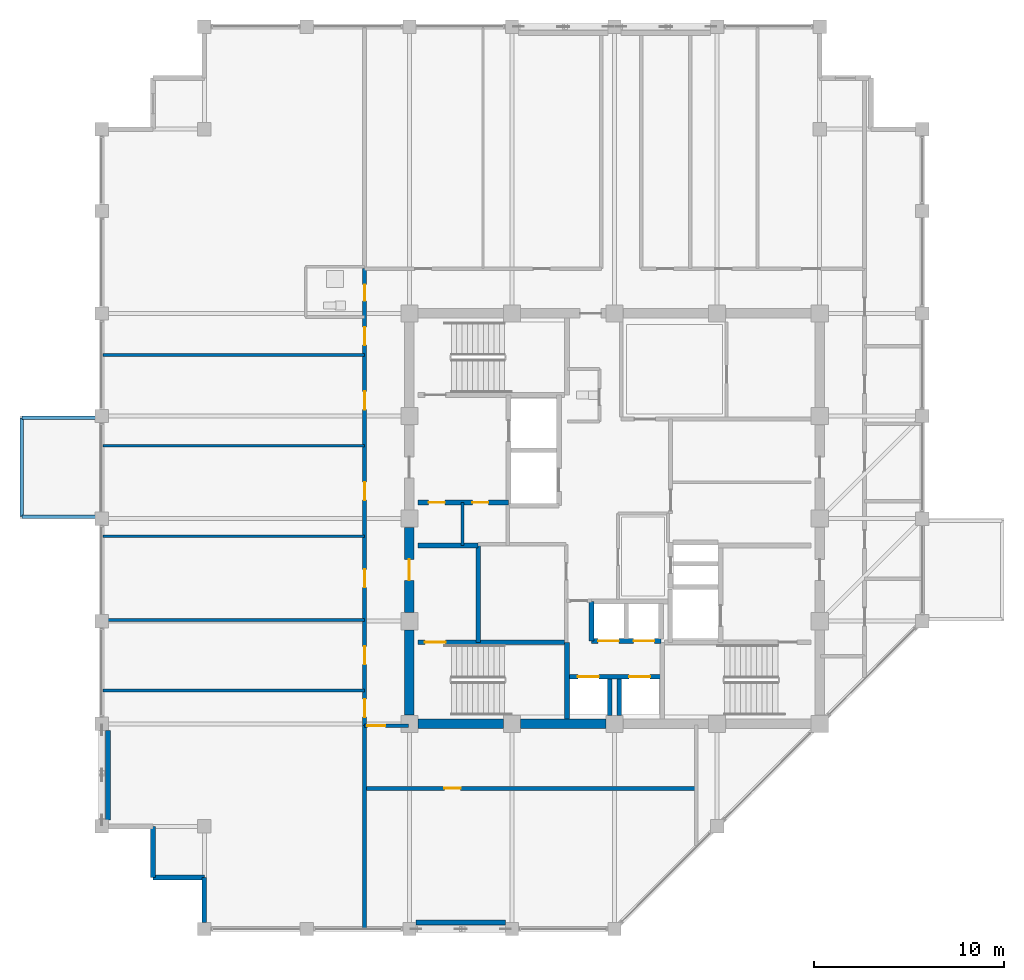
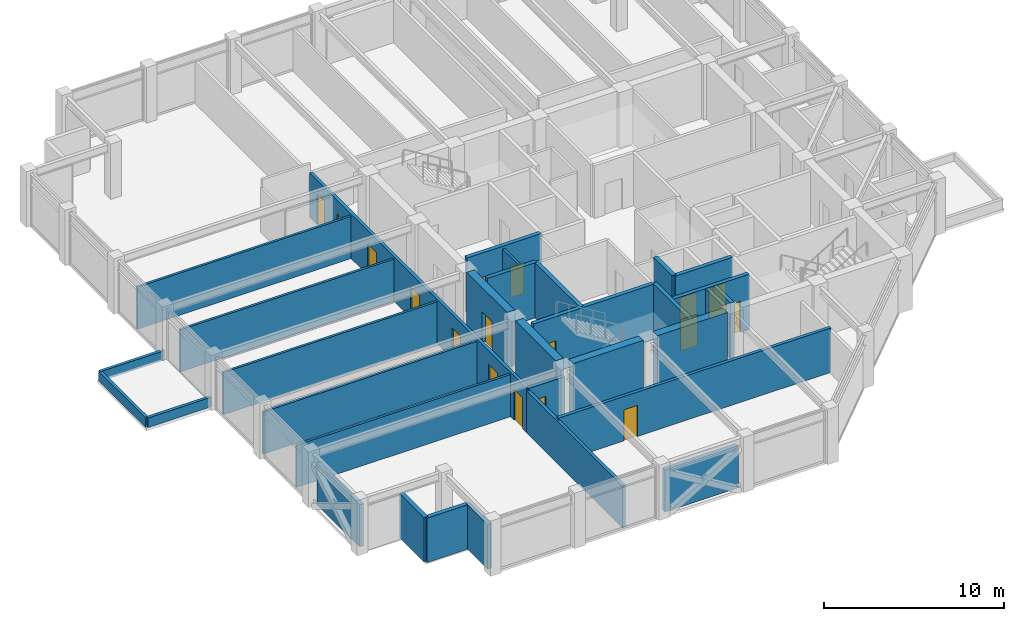
# One storey, part 24 of 29: 32 walls, 17 doors, 17 openings.
"""IFC4 building model written with IfcOpenShell, lengths in metres."""

from ifc_helpers import new_model, si_unit, direction, frame, frame_2d, origin, place, context, subcontext, project, spatial, rectangle, extrude, material, layer, layer_set, type_object, element, fill, save


model = new_model("IFC4")

# Units and contexts
model_context = context("Model", 3, precision=1e-05, world=origin(), true_north=direction((0.0, 1.0)))
body_context = subcontext(model_context, "Body", "Model", "MODEL_VIEW")
ifc_project = project(units=[si_unit("LENGTHUNIT", "METRE"), si_unit("AREAUNIT", "SQUARE_METRE"), si_unit("VOLUMEUNIT", "CUBIC_METRE"), si_unit("PLANEANGLEUNIT", "RADIAN"), si_unit("MASSUNIT", "GRAM", prefix="KILO")], contexts=[model_context])

# Site, building, storey
site_placement = place(None, origin())
site = spatial("IfcSite", under=ifc_project, at=site_placement, CompositionType="ELEMENT")
building_placement = place(site_placement, origin())
building = spatial("IfcBuilding", under=site, at=building_placement, Name="Surkhivell Harbour Commons", CompositionType="ELEMENT")
storey_placement = place(building_placement, frame((0.0, 0.0, 326.25)))
storey = spatial("IfcBuildingStorey", under=building, at=storey_placement, Name="L85", CompositionType="ELEMENT", Elevation=326.25)

# Walls
ifc_material_1 = material(Name="Concrete C50/60", Category="concrete")
ifc_layer_1 = layer(ifc_material_1, 0.5)
ifc_layer_set_1 = layer_set([ifc_layer_1], Name="Concrete C50/60")
wall_type_1 = type_object("IfcWallType", Name="WAL-CORE-500", PredefinedType="SHEAR", material=ifc_layer_set_1)
for number, where, z_axis, x_axis, name in (
    (1, (-10.340087890625, -10.800048828125, 0.0), (0.0, 0.0, 1.0), (1.0, 0.0, 0.0), "L85 Core Shear Wall South 1"),
    (2, (-10.800048828125, -10.340087890625, 0.0), (0.0, 0.0, 1.0), (0.0, 1.0, 0.0), "L85 Core Shear Wall West 1"),
    (3, (-4.93994140625, -10.800048828125, 0.0), (0.0, 0.0, 1.0), (1.0, 0.0, 0.0), "L85 Core Shear Wall South 2"),
):
    element("IfcWall", number, at=place(storey_placement, frame(where, z_axis=z_axis, x_axis=x_axis)), inside=storey, type_object=wall_type_1, Name=name, PredefinedType="SHEAR", context=body_context, shape_type="SweptSolid", body=[
        extrude(rectangle(XDim=4.47998046875, YDim=0.5, at=frame_2d((2.239990234375, 0.0))), origin(), (0.0, 0.0, 1.0), 3.75),
    ])

# Wall, opening, door
wall_1_placement = place(storey_placement, frame((-10.800048828125, -4.93994140625, 0.0), z_axis=(0.0, 0.0, 1.0), x_axis=(0.0, 1.0, 0.0)))
wall_1 = element("IfcWall", 4, at=wall_1_placement, inside=storey, type_object=wall_type_1, Name="L85 Core Shear Wall West 2", PredefinedType="SHEAR", context=body_context, shape_type="SweptSolid", body=[
    extrude(rectangle(XDim=4.47998046875, YDim=0.5, at=frame_2d((2.239990234375, 0.0))), origin(), (0.0, 0.0, 1.0), 3.75),
])
opening_1_placement = place(wall_1_placement, frame((1.68994140625, 0.0, 0.0)))
opening_1 = element("IfcOpeningElement", 5, at=opening_1_placement, cuts=wall_1, Name="Opening ID-2", PredefinedType="OPENING", context=body_context, shape_type="SweptSolid", body=[
    extrude(rectangle(XDim=1.10009765625, YDim=2.10009765625, at=frame_2d((0.550048828125, 1.050048828125))), frame((0.0, 0.260009765625, 0.0), z_axis=(0.0, -1.0, 0.0), x_axis=(1.0, 0.0, 0.0)), (0.0, 0.0, 1.0), 0.52001953125),
])
ifc_material_2 = material(Name="Hardwood-veneered fire-rated door leaf", Category="wood")
door_type_1 = type_object("IfcDoorType", Name="DOR-FD60-1100", OperationType="NOTDEFINED", PredefinedType="DOOR", material=ifc_material_2)
door_1_placement = place(opening_1_placement, origin())
door_1 = element("IfcDoor", 6, at=door_1_placement, inside=storey, type_object=door_type_1, Name="L85 Stair 3 Lobby Corridor Door", OperationType="SINGLE_SWING_LEFT", OverallHeight=2.10009765625, OverallWidth=1.10009765625, PredefinedType="DOOR", context=body_context, shape_type="SweptSolid", body=[
    extrude(rectangle(XDim=1.10009765625, YDim=2.10009765625, at=frame_2d((0.550048828125, 1.050048828125))), frame((0.0, 0.02490234375, 0.0), z_axis=(0.0, -1.0, 0.0), x_axis=(1.0, 0.0, 0.0)), (0.0, 0.0, 1.0), 0.050048828125),
])
fill(opening_1, door_1)

# Walls
ifc_material_3 = material(Name="Pale-metal insulated precast concrete C45/55", Category="concrete")
ifc_layer_2 = layer(ifc_material_3, 0.260009765625)
ifc_layer_set_2 = layer_set([ifc_layer_2], Name="Pale-metal insulated precast concrete C45/55")
wall_type_2 = type_object("IfcWallType", Name="WAL-EXT-MTL260", PredefinedType="STANDARD", material=ifc_layer_set_2)
wall_2_placement = place(storey_placement, frame((-10.451904296875, -21.264892578125, 0.0), z_axis=(0.0, 0.0, 1.0), x_axis=(1.0, 0.0, 0.0)))
element("IfcWall", 7, at=wall_2_placement, inside=storey, type_object=wall_type_2, Name="L85 Braced-Bay Insulated Spandrel Backing S", PredefinedType="STANDARD", context=body_context, shape_type="SweptSolid", body=[
    extrude(rectangle(XDim=4.703857421875, YDim=0.260009765625, at=frame_2d((2.35205078125, 0.0))), origin(), (0.0, 0.0, 1.0), 2.85693359375),
])
wall_3_placement = place(storey_placement, frame((-26.6650390625, -11.14794921875, 0.0), z_axis=(0.0, 0.0, 1.0), x_axis=(0.0, -1.0, 0.0)))
element("IfcWall", 8, at=wall_3_placement, inside=storey, type_object=wall_type_2, Name="L85 Braced-Bay Insulated Spandrel Backing W", PredefinedType="STANDARD", context=body_context, shape_type="SweptSolid", body=[
    extrude(rectangle(XDim=4.7041015625, YDim=0.260009765625, at=frame_2d((2.35205078125, 0.0))), origin(), (0.0, 0.0, 1.0), 2.85693359375),
])
for number, where, z_axis, x_axis, name in (
    (9, (-24.300048828125, -16.199951171875, 0.0), (0.0, 0.0, 1.0), (0.0, -1.0, 0.0), "L85 Serrated Corner Facade Wall 14"),
    (10, (-24.300048828125, -18.89990234375, 0.0), (0.0, 0.0, 1.0), (1.0, 0.0, 0.0), "L85 Serrated Corner Facade Wall 15"),
):
    element("IfcWall", number, at=place(storey_placement, frame(where, z_axis=z_axis, x_axis=x_axis)), inside=storey, type_object=wall_type_2, Name=name, PredefinedType="STANDARD", context=body_context, shape_type="SweptSolid", body=[
        extrude(rectangle(XDim=2.699951171875, YDim=0.260009765625, at=frame_2d((1.35009765625, 0.0))), origin(), (0.0, 0.0, 1.0), 3.012939453125),
    ])
wall_4_placement = place(storey_placement, frame((-21.60009765625, -18.89990234375, 0.0), z_axis=(0.0, 0.0, 1.0), x_axis=(0.0, -1.0, 0.0)))
element("IfcWall", 11, at=wall_4_placement, inside=storey, type_object=wall_type_2, Name="L85 Serrated Corner Facade Wall 16", PredefinedType="STANDARD", context=body_context, shape_type="SweptSolid", body=[
    extrude(rectangle(XDim=2.35205078125, YDim=0.260009765625, at=frame_2d((1.176025390625, 0.0))), origin(), (0.0, 0.0, 1.0), 3.012939453125),
])
ifc_material_4 = material(Name="Twin-stud acoustic fireboard partition", Category="other")
ifc_layer_3 = layer(ifc_material_4, 0.14990234375)
ifc_layer_set_3 = layer_set([ifc_layer_3], Name="Twin-stud acoustic fireboard partition")
wall_type_3 = type_object("IfcWallType", Name="WAL-INT-150", PredefinedType="PARTITIONING", material=ifc_layer_set_3)
wall_5_placement = place(storey_placement, frame((-8.0, -1.419921875, 0.0), z_axis=(0.0, 0.0, 1.0), x_axis=(0.0, 1.0, 0.0)))
element("IfcWall", 12, at=wall_5_placement, inside=storey, type_object=wall_type_3, Name="L85 West Core Cut D1", PredefinedType="PARTITIONING", context=body_context, shape_type="SweptSolid", body=[
    extrude(rectangle(XDim=2.27001953125, YDim=0.14990234375, at=frame_2d((1.135009765625, 0.0))), origin(), (0.0, 0.0, 1.0), 3.570068359375),
])
for number, where, z_axis, x_axis, name in (
    (13, (-26.93994140625, -5.340087890625, 0.0), (0.0, 0.0, 1.0), (1.0, 0.0, 0.0), "L85 West Partition BDP1"),
    (14, (-26.93994140625, -0.929931640625, 0.0), (0.0, 0.0, 1.0), (1.0, 0.0, 0.0), "L85 West Partition BDP2"),
    (15, (-26.93994140625, 3.840087890625, 0.0), (0.0, 0.0, 1.0), (1.0, 0.0, 0.0), "L85 West Partition BDP3"),
    (16, (-26.93994140625, -9.050048828125, 0.0), (0.0, 0.0, 1.0), (1.0, 0.0, 0.0), "L85 West Partition PBOT"),
    (17, (-26.93994140625, 8.610107421875, 0.0), (0.0, 0.0, 1.0), (1.0, 0.0, 0.0), "L85 West Partition PTOP"),
):
    element("IfcWall", number, at=place(storey_placement, frame(where, z_axis=z_axis, x_axis=x_axis)), inside=storey, type_object=wall_type_3, Name=name, PredefinedType="PARTITIONING", context=body_context, shape_type="SweptSolid", body=[
        extrude(rectangle(XDim=13.780029296875, YDim=0.14990234375, at=frame_2d((6.89013671875, 0.0))), origin(), (0.0, 0.0, 1.0), 2.85693359375),
    ])

# Wall, opening, door
ifc_material_5 = material(Name="Autoclaved aerated concrete blockwork and fire plaster", Category="masonry")
ifc_layer_4 = layer(ifc_material_5, 0.199951171875)
ifc_layer_set_4 = layer_set([ifc_layer_4], Name="Autoclaved aerated concrete blockwork and fire plaster")
wall_type_4 = type_object("IfcWallType", Name="WAL-INT-200", PredefinedType="PARTITIONING", material=ifc_layer_set_4)
wall_6_placement = place(storey_placement, frame((-13.159912109375, -14.199951171875, 0.0), z_axis=(0.0, 0.0, 1.0), x_axis=(1.0, 0.0, 0.0)))
wall_6 = element("IfcWall", 18, at=wall_6_placement, inside=storey, type_object=wall_type_4, Name="L85 South Wing Horizontal Partition", PredefinedType="PARTITIONING", context=body_context, shape_type="SweptSolid", body=[
    extrude(rectangle(XDim=17.4599609375, YDim=0.199951171875, at=frame_2d((8.72998046875, 0.0))), origin(), (0.0, 0.0, 1.0), 3.012939453125),
])
opening_2_placement = place(wall_6_placement, frame((4.199951171875, 0.0, 0.0)))
opening_2 = element("IfcOpeningElement", 19, at=opening_2_placement, cuts=wall_6, Name="Opening ID-6", PredefinedType="OPENING", context=body_context, shape_type="SweptSolid", body=[
    extrude(rectangle(XDim=0.85009765625, YDim=2.10009765625, at=frame_2d((0.425048828125, 1.050048828125))), frame((0.0, 0.10986328125, 0.0), z_axis=(0.0, -1.0, 0.0), x_axis=(1.0, 0.0, 0.0)), (0.0, 0.0, 1.0), 0.219970703125),
])
door_type_2 = type_object("IfcDoorType", Name="DOR-FD30-850", OperationType="NOTDEFINED", PredefinedType="DOOR", material=ifc_material_2)
door_2_placement = place(opening_2_placement, origin())
door_2 = element("IfcDoor", 20, at=door_2_placement, inside=storey, type_object=door_type_2, Name="L85 South Music Door", OperationType="SINGLE_SWING_LEFT", OverallHeight=2.10009765625, OverallWidth=0.85009765625, PredefinedType="DOOR", context=body_context, shape_type="SweptSolid", body=[
    extrude(rectangle(XDim=0.85009765625, YDim=2.10009765625, at=frame_2d((0.425048828125, 1.050048828125))), frame((0.0, 0.02490234375, 0.0), z_axis=(0.0, -1.0, 0.0), x_axis=(1.0, 0.0, 0.0)), (0.0, 0.0, 1.0), 0.050048828125),
])
fill(opening_2, door_2)

# Wall
wall_7_placement = place(storey_placement, frame((-13.159912109375, -21.5400390625, 0.0), z_axis=(0.0, 0.0, 1.0), x_axis=(0.0, 1.0, 0.0)))
element("IfcWall", 21, at=wall_7_placement, inside=storey, type_object=wall_type_4, Name="L85 South Hall West Divider", PredefinedType="PARTITIONING", context=body_context, shape_type="SweptSolid", body=[
    extrude(rectangle(XDim=10.64013671875, YDim=0.199951171875, at=frame_2d((5.320068359375, 0.0))), origin(), (0.0, 0.0, 1.0), 2.85693359375),
])

# Wall, openings, doors
wall_8_placement = place(storey_placement, frame((-13.159912109375, -10.89990234375, 0.0), z_axis=(0.0, 0.0, 1.0), x_axis=(0.0, 1.0, 0.0)))
wall_8 = element("IfcWall", 22, at=wall_8_placement, inside=storey, type_object=wall_type_4, Name="L85 West Corridor Wall", PredefinedType="PARTITIONING", context=body_context, shape_type="SweptSolid", body=[
    extrude(rectangle(XDim=24.059814453125, YDim=0.199951171875, at=frame_2d((12.02978515625, 0.0))), origin(), (0.0, 0.0, 1.0), 3.012939453125),
])
opening_3_placement = place(wall_8_placement, frame((0.445068359375, 0.0, 0.0)))
opening_3 = element("IfcOpeningElement", 23, at=opening_3_placement, cuts=wall_8, Name="Opening ID-4", PredefinedType="OPENING", context=body_context, shape_type="SweptSolid", body=[
    extrude(rectangle(XDim=0.949951171875, YDim=2.10009765625, at=frame_2d((0.47509765625, 1.050048828125))), frame((0.0, 0.10986328125, 0.0), z_axis=(0.0, -1.0, 0.0), x_axis=(1.0, 0.0, 0.0)), (0.0, 0.0, 1.0), 0.219970703125),
])
opening_4_placement = place(wall_8_placement, frame((22.364990234375, 0.0, 0.0)))
opening_4 = element("IfcOpeningElement", 24, at=opening_4_placement, cuts=wall_8, Name="Opening ID-6", PredefinedType="OPENING", context=body_context, shape_type="SweptSolid", body=[
    extrude(rectangle(XDim=0.85009765625, YDim=2.10009765625, at=frame_2d((0.425048828125, 1.050048828125))), frame((0.0, 0.10986328125, 0.0), z_axis=(0.0, -1.0, 0.0), x_axis=(1.0, 0.0, 0.0)), (0.0, 0.0, 1.0), 0.219970703125),
])
opening_5_placement = place(wall_8_placement, frame((20.030029296875, 0.0, 0.0)))
opening_5 = element("IfcOpeningElement", 25, at=opening_5_placement, cuts=wall_8, Name="Opening ID-4", PredefinedType="OPENING", context=body_context, shape_type="SweptSolid", body=[
    extrude(rectangle(XDim=0.949951171875, YDim=2.10009765625, at=frame_2d((0.47509765625, 1.050048828125))), frame((0.0, 0.10986328125, 0.0), z_axis=(0.0, -1.0, 0.0), x_axis=(1.0, 0.0, 0.0)), (0.0, 0.0, 1.0), 0.219970703125),
])
opening_6_placement = place(wall_8_placement, frame((3.22509765625, 0.0, 0.0)))
opening_6 = element("IfcOpeningElement", 26, at=opening_6_placement, cuts=wall_8, Name="Opening ID-4", PredefinedType="OPENING", context=body_context, shape_type="SweptSolid", body=[
    extrude(rectangle(XDim=0.949951171875, YDim=2.10009765625, at=frame_2d((0.47509765625, 1.050048828125))), frame((0.0, 0.10986328125, 0.0), z_axis=(0.0, -1.0, 0.0), x_axis=(1.0, 0.0, 0.0)), (0.0, 0.0, 1.0), 0.219970703125),
])
opening_7_placement = place(wall_8_placement, frame((7.284912109375, 0.0, 0.0)))
opening_7 = element("IfcOpeningElement", 27, at=opening_7_placement, cuts=wall_8, Name="Opening ID-4", PredefinedType="OPENING", context=body_context, shape_type="SweptSolid", body=[
    extrude(rectangle(XDim=0.949951171875, YDim=2.10009765625, at=frame_2d((0.47509765625, 1.050048828125))), frame((0.0, 0.10986328125, 0.0), z_axis=(0.0, -1.0, 0.0), x_axis=(1.0, 0.0, 0.0)), (0.0, 0.0, 1.0), 0.219970703125),
])
opening_8_placement = place(wall_8_placement, frame((11.875, 0.0, 0.0)))
opening_8 = element("IfcOpeningElement", 28, at=opening_8_placement, cuts=wall_8, Name="Opening ID-4", PredefinedType="OPENING", context=body_context, shape_type="SweptSolid", body=[
    extrude(rectangle(XDim=0.949951171875, YDim=2.10009765625, at=frame_2d((0.47509765625, 1.050048828125))), frame((0.0, 0.10986328125, 0.0), z_axis=(0.0, -1.0, 0.0), x_axis=(1.0, 0.0, 0.0)), (0.0, 0.0, 1.0), 0.219970703125),
])
opening_9_placement = place(wall_8_placement, frame((16.64501953125, 0.0, 0.0)))
opening_9 = element("IfcOpeningElement", 29, at=opening_9_placement, cuts=wall_8, Name="Opening ID-4", PredefinedType="OPENING", context=body_context, shape_type="SweptSolid", body=[
    extrude(rectangle(XDim=0.949951171875, YDim=2.10009765625, at=frame_2d((0.47509765625, 1.050048828125))), frame((0.0, 0.10986328125, 0.0), z_axis=(0.0, -1.0, 0.0), x_axis=(1.0, 0.0, 0.0)), (0.0, 0.0, 1.0), 0.219970703125),
])
door_3_placement = place(opening_4_placement, origin())
door_3 = element("IfcDoor", 30, at=door_3_placement, inside=storey, type_object=door_type_2, Name="L85 Communal Shower Bathroom West Door", OperationType="SINGLE_SWING_RIGHT", OverallHeight=2.10009765625, OverallWidth=0.85009765625, PredefinedType="DOOR", context=body_context, shape_type="SweptSolid", body=[
    extrude(rectangle(XDim=0.85009765625, YDim=2.10009765625, at=frame_2d((0.425048828125, 1.050048828125))), frame((0.0, 0.02490234375, 0.0), z_axis=(0.0, -1.0, 0.0), x_axis=(1.0, 0.0, 0.0)), (0.0, 0.0, 1.0), 0.050048828125),
])
fill(opening_4, door_3)
door_type_3 = type_object("IfcDoorType", Name="DOR-FD60-950", OperationType="NOTDEFINED", PredefinedType="DOOR", material=ifc_material_2)
door_4_placement = place(opening_3_placement, origin())
door_4 = element("IfcDoor", 31, at=door_4_placement, inside=storey, type_object=door_type_3, Name="L85 Shared Communal Kitchen West Door", OperationType="SINGLE_SWING_LEFT", OverallHeight=2.10009765625, OverallWidth=0.949951171875, PredefinedType="DOOR", context=body_context, shape_type="SweptSolid", body=[
    extrude(rectangle(XDim=0.949951171875, YDim=2.10009765625, at=frame_2d((0.47509765625, 1.050048828125))), frame((0.0, 0.02490234375, 0.0), z_axis=(0.0, -1.0, 0.0), x_axis=(1.0, 0.0, 0.0)), (0.0, 0.0, 1.0), 0.050048828125),
])
fill(opening_3, door_4)
door_5_placement = place(opening_5_placement, origin())
door_5 = element("IfcDoor", 32, at=door_5_placement, inside=storey, type_object=door_type_3, Name="L85 Academic Reading Commons West Door", OperationType="SINGLE_SWING_LEFT", OverallHeight=2.10009765625, OverallWidth=0.949951171875, PredefinedType="DOOR", context=body_context, shape_type="SweptSolid", body=[
    extrude(rectangle(XDim=0.949951171875, YDim=2.10009765625, at=frame_2d((0.47509765625, 1.050048828125))), frame((0.0, 0.02490234375, 0.0), z_axis=(0.0, -1.0, 0.0), x_axis=(1.0, 0.0, 0.0)), (0.0, 0.0, 1.0), 0.050048828125),
])
fill(opening_5, door_5)
door_6_placement = place(opening_6_placement, origin())
door_6 = element("IfcDoor", 33, at=door_6_placement, inside=storey, type_object=door_type_3, Name="L85 Hostel Cluster Bedroom 1 West Door", OperationType="SINGLE_SWING_RIGHT", OverallHeight=2.10009765625, OverallWidth=0.949951171875, PredefinedType="DOOR", context=body_context, shape_type="SweptSolid", body=[
    extrude(rectangle(XDim=0.949951171875, YDim=2.10009765625, at=frame_2d((0.47509765625, 1.050048828125))), frame((0.0, 0.02490234375, 0.0), z_axis=(0.0, -1.0, 0.0), x_axis=(1.0, 0.0, 0.0)), (0.0, 0.0, 1.0), 0.050048828125),
])
fill(opening_6, door_6)
door_7_placement = place(opening_7_placement, origin())
door_7 = element("IfcDoor", 34, at=door_7_placement, inside=storey, type_object=door_type_3, Name="L85 Co-Living Dormitory Bedroom 2 West Door", OperationType="SINGLE_SWING_LEFT", OverallHeight=2.10009765625, OverallWidth=0.949951171875, PredefinedType="DOOR", context=body_context, shape_type="SweptSolid", body=[
    extrude(rectangle(XDim=0.949951171875, YDim=2.10009765625, at=frame_2d((0.47509765625, 1.050048828125))), frame((0.0, 0.02490234375, 0.0), z_axis=(0.0, -1.0, 0.0), x_axis=(1.0, 0.0, 0.0)), (0.0, 0.0, 1.0), 0.050048828125),
])
fill(opening_7, door_7)
door_8_placement = place(opening_8_placement, origin())
door_8 = element("IfcDoor", 35, at=door_8_placement, inside=storey, type_object=door_type_3, Name="L85 Hostel Cluster Bedroom 3 West Door", OperationType="SINGLE_SWING_RIGHT", OverallHeight=2.10009765625, OverallWidth=0.949951171875, PredefinedType="DOOR", context=body_context, shape_type="SweptSolid", body=[
    extrude(rectangle(XDim=0.949951171875, YDim=2.10009765625, at=frame_2d((0.47509765625, 1.050048828125))), frame((0.0, 0.02490234375, 0.0), z_axis=(0.0, -1.0, 0.0), x_axis=(1.0, 0.0, 0.0)), (0.0, 0.0, 1.0), 0.050048828125),
])
fill(opening_8, door_8)
door_9_placement = place(opening_9_placement, origin())
door_9 = element("IfcDoor", 36, at=door_9_placement, inside=storey, type_object=door_type_3, Name="L85 Co-Living Dormitory Bedroom 4 West Door", OperationType="SINGLE_SWING_LEFT", OverallHeight=2.10009765625, OverallWidth=0.949951171875, PredefinedType="DOOR", context=body_context, shape_type="SweptSolid", body=[
    extrude(rectangle(XDim=0.949951171875, YDim=2.10009765625, at=frame_2d((0.47509765625, 1.050048828125))), frame((0.0, 0.02490234375, 0.0), z_axis=(0.0, -1.0, 0.0), x_axis=(1.0, 0.0, 0.0)), (0.0, 0.0, 1.0), 0.050048828125),
])
fill(opening_9, door_9)

# Wall, opening, door
wall_9_placement = place(storey_placement, frame((-13.159912109375, -10.89990234375, 0.0), z_axis=(0.0, 0.0, 1.0), x_axis=(1.0, 0.0, 0.0)))
wall_9 = element("IfcWall", 37, at=wall_9_placement, inside=storey, type_object=wall_type_4, Name="L85 West Corridor South Portal Wall", PredefinedType="PARTITIONING", context=body_context, shape_type="SweptSolid", body=[
    extrude(rectangle(XDim=2.309814453125, YDim=0.199951171875, at=frame_2d((1.15478515625, 0.0))), origin(), (0.0, 0.0, 1.0), 3.012939453125),
])
opening_10_placement = place(wall_9_placement, frame((0.139892578125, 0.0, 0.0)))
opening_10 = element("IfcOpeningElement", 38, at=opening_10_placement, cuts=wall_9, Name="Opening ID-4", PredefinedType="OPENING", context=body_context, shape_type="SweptSolid", body=[
    extrude(rectangle(XDim=0.949951171875, YDim=2.10009765625, at=frame_2d((0.47509765625, 1.050048828125))), frame((0.0, 0.10986328125, 0.0), z_axis=(0.0, -1.0, 0.0), x_axis=(1.0, 0.0, 0.0)), (0.0, 0.0, 1.0), 0.219970703125),
])
door_10_placement = place(opening_10_placement, origin())
door_10 = element("IfcDoor", 39, at=door_10_placement, inside=storey, type_object=door_type_3, Name="L85 South Dining Door", OperationType="SINGLE_SWING_RIGHT", OverallHeight=2.10009765625, OverallWidth=0.949951171875, PredefinedType="DOOR", context=body_context, shape_type="SweptSolid", body=[
    extrude(rectangle(XDim=0.949951171875, YDim=2.10009765625, at=frame_2d((0.47509765625, 1.050048828125))), frame((0.0, 0.02490234375, 0.0), z_axis=(0.0, -1.0, 0.0), x_axis=(1.0, 0.0, 0.0)), (0.0, 0.0, 1.0), 0.050048828125),
])
fill(opening_10, door_10)

# Walls
ifc_material_6 = material(Name="Anodised aluminium and precast concrete C40/50", Category="concrete")
ifc_layer_5 = layer(ifc_material_6, 0.18505859375)
ifc_layer_set_5 = layer_set([ifc_layer_5], Name="Anodised aluminium and precast concrete C40/50")
wall_type_5 = type_object("IfcWallType", Name="WAL-PAR-185", PredefinedType="PARAPET", material=ifc_layer_set_5)
wall_10_placement = place(storey_placement, frame((-27.1201171875, 5.300048828125, 0.0), z_axis=(0.0, 0.0, 1.0), x_axis=(-1.0, 0.0, 0.0)))
element("IfcWall", 40, at=wall_10_placement, inside=storey, type_object=wall_type_5, Name="L85 Box Roof Coping Parapet 2-1", PredefinedType="PARAPET", context=body_context, shape_type="SweptSolid", body=[
    extrude(rectangle(XDim=4.079833984375, YDim=0.18505859375, at=frame_2d((2.0400390625, 0.0))), origin(), (0.0, 0.0, 1.0), 0.64990234375),
])
wall_11_placement = place(storey_placement, frame((-31.199951171875, 5.300048828125, 0.0), z_axis=(0.0, 0.0, 1.0), x_axis=(0.0, -1.0, 0.0)))
element("IfcWall", 41, at=wall_11_placement, inside=storey, type_object=wall_type_5, Name="L85 Box Roof Coping Parapet 2-2", PredefinedType="PARAPET", context=body_context, shape_type="SweptSolid", body=[
    extrude(rectangle(XDim=5.199951171875, YDim=0.18505859375, at=frame_2d((2.60009765625, 0.0))), origin(), (0.0, 0.0, 1.0), 0.64990234375),
])
wall_12_placement = place(storey_placement, frame((-31.199951171875, 0.10009765625, 0.0), z_axis=(0.0, 0.0, 1.0), x_axis=(1.0, 0.0, 0.0)))
element("IfcWall", 42, at=wall_12_placement, inside=storey, type_object=wall_type_5, Name="L85 Box Roof Coping Parapet 2-3", PredefinedType="PARAPET", context=body_context, shape_type="SweptSolid", body=[
    extrude(rectangle(XDim=4.079833984375, YDim=0.18505859375, at=frame_2d((2.0400390625, 0.0))), origin(), (0.0, 0.0, 1.0), 0.64990234375),
])

# Wall, openings, doors
ifc_layer_6 = layer(ifc_material_1, 0.25)
ifc_layer_set_6 = layer_set([ifc_layer_6], Name="Concrete C50/60")
wall_type_6 = type_object("IfcWallType", Name="WAL-SHAFT-250", PredefinedType="SHEAR", material=ifc_layer_set_6)
wall_13_placement = place(storey_placement, frame((-10.340087890625, 0.85009765625, 0.0), z_axis=(0.0, 0.0, 1.0), x_axis=(1.0, 0.0, 0.0)))
wall_13 = element("IfcWall", 43, at=wall_13_placement, inside=storey, type_object=wall_type_6, Name="L85 Firefighting Lobby 1 South Wall", PredefinedType="SHEAR", context=body_context, shape_type="SweptSolid", body=[
    extrude(rectangle(XDim=4.760009765625, YDim=0.25, at=frame_2d((2.3798828125, 0.0))), origin(), (0.0, 0.0, 1.0), 3.75),
])
opening_11_placement = place(wall_13_placement, frame((0.550048828125, 0.0, 0.0)))
opening_11 = element("IfcOpeningElement", 44, at=opening_11_placement, cuts=wall_13, Name="Opening ID-6", PredefinedType="OPENING", context=body_context, shape_type="SweptSolid", body=[
    extrude(rectangle(XDim=0.85009765625, YDim=2.10009765625, at=frame_2d((0.425048828125, 1.050048828125))), frame((0.0, 0.135009765625, 0.0), z_axis=(0.0, -1.0, 0.0), x_axis=(1.0, 0.0, 0.0)), (0.0, 0.0, 1.0), 0.27001953125),
])
opening_12_placement = place(wall_13_placement, frame((2.85009765625, 0.0, 0.0)))
opening_12 = element("IfcOpeningElement", 45, at=opening_12_placement, cuts=wall_13, Name="Opening ID-6", PredefinedType="OPENING", context=body_context, shape_type="SweptSolid", body=[
    extrude(rectangle(XDim=0.85009765625, YDim=2.10009765625, at=frame_2d((0.425048828125, 1.050048828125))), frame((0.0, 0.135009765625, 0.0), z_axis=(0.0, -1.0, 0.0), x_axis=(1.0, 0.0, 0.0)), (0.0, 0.0, 1.0), 0.27001953125),
])
door_11_placement = place(opening_11_placement, origin())
door_11 = element("IfcDoor", 46, at=door_11_placement, inside=storey, type_object=door_type_2, Name="L85 West Seminar Pod Door", OperationType="SINGLE_SWING_LEFT", OverallHeight=2.10009765625, OverallWidth=0.85009765625, PredefinedType="DOOR", context=body_context, shape_type="SweptSolid", body=[
    extrude(rectangle(XDim=0.85009765625, YDim=2.10009765625, at=frame_2d((0.425048828125, 1.050048828125))), frame((0.0, 0.02490234375, 0.0), z_axis=(0.0, -1.0, 0.0), x_axis=(1.0, 0.0, 0.0)), (0.0, 0.0, 1.0), 0.050048828125),
])
fill(opening_11, door_11)
door_12_placement = place(opening_12_placement, origin())
door_12 = element("IfcDoor", 47, at=door_12_placement, inside=storey, type_object=door_type_2, Name="L85 West Reading Pod Door", OperationType="SINGLE_SWING_RIGHT", OverallHeight=2.10009765625, OverallWidth=0.85009765625, PredefinedType="DOOR", context=body_context, shape_type="SweptSolid", body=[
    extrude(rectangle(XDim=0.85009765625, YDim=2.10009765625, at=frame_2d((0.425048828125, 1.050048828125))), frame((0.0, 0.02490234375, 0.0), z_axis=(0.0, -1.0, 0.0), x_axis=(1.0, 0.0, 0.0)), (0.0, 0.0, 1.0), 0.050048828125),
])
fill(opening_12, door_12)

# Walls
for number, where, z_axis, x_axis, name in (
    (48, (-0.25, -10.35009765625, 0.0), (0.0, 0.0, 1.0), (0.0, 1.0, 0.0), "L85 High-Rise Side Wall S"),
    (49, (0.25, -10.35009765625, 0.0), (0.0, 0.0, 1.0), (0.0, 1.0, 0.0), "L85 High-Rise Side Wall S"),
):
    element("IfcWall", number, at=place(storey_placement, frame(where, z_axis=z_axis, x_axis=x_axis)), inside=storey, type_object=wall_type_6, Name=name, PredefinedType="SHEAR", context=body_context, shape_type="SweptSolid", body=[
        extrude(rectangle(XDim=1.91015625, YDim=0.25, at=frame_2d((0.955078125, 0.0))), origin(), (0.0, 0.0, 1.0), 3.75),
    ])
wall_14_placement = place(storey_placement, frame((-1.219970703125, -6.43994140625, 0.0), z_axis=(0.0, 0.0, 1.0), x_axis=(0.0, 1.0, 0.0)))
element("IfcWall", 50, at=wall_14_placement, inside=storey, type_object=wall_type_6, Name="L85 High-Rise Passage East Shaft Wall", PredefinedType="SHEAR", context=body_context, shape_type="SweptSolid", body=[
    extrude(rectangle(XDim=2.079833984375, YDim=0.25, at=frame_2d((1.0400390625, 0.0))), origin(), (0.0, 0.0, 1.0), 3.75),
])

# Wall, openings, doors
wall_15_placement = place(storey_placement, frame((-1.219970703125, -6.43994140625, 0.0), z_axis=(0.0, 0.0, 1.0), x_axis=(1.0, 0.0, 0.0)))
wall_15 = element("IfcWall", 51, at=wall_15_placement, inside=storey, type_object=wall_type_6, Name="L85 High-Rise North Front Shaft Wall", PredefinedType="SHEAR", context=body_context, shape_type="SweptSolid", body=[
    extrude(rectangle(XDim=3.669921875, YDim=0.25, at=frame_2d((1.8349609375, 0.0))), origin(), (0.0, 0.0, 1.0), 3.75),
])
opening_13_placement = place(wall_15_placement, frame((0.35009765625, 0.0, 0.0)))
opening_13 = element("IfcOpeningElement", 52, at=opening_13_placement, cuts=wall_15, Name="Opening LD-1", PredefinedType="OPENING", context=body_context, shape_type="SweptSolid", body=[
    extrude(rectangle(XDim=1.10009765625, YDim=2.10009765625, at=frame_2d((0.550048828125, 1.050048828125))), frame((0.0, 0.135009765625, 0.0), z_axis=(0.0, -1.0, 0.0), x_axis=(1.0, 0.0, 0.0)), (0.0, 0.0, 1.0), 0.27001953125),
])
opening_14_placement = place(wall_15_placement, frame((2.219970703125, 0.0, 0.0)))
opening_14 = element("IfcOpeningElement", 53, at=opening_14_placement, cuts=wall_15, Name="Opening LD-1", PredefinedType="OPENING", context=body_context, shape_type="SweptSolid", body=[
    extrude(rectangle(XDim=1.10009765625, YDim=2.10009765625, at=frame_2d((0.550048828125, 1.050048828125))), frame((0.0, 0.135009765625, 0.0), z_axis=(0.0, -1.0, 0.0), x_axis=(1.0, 0.0, 0.0)), (0.0, 0.0, 1.0), 0.27001953125),
])
ifc_material_7 = material(Name="Brushed stainless steel S355", Category="steel")
door_type_4 = type_object("IfcDoorType", Name="DOR-LD-1100", OperationType="SLIDING_TO_LEFT", PredefinedType="DOOR", material=ifc_material_7)
door_13_placement = place(opening_13_placement, origin())
door_13 = element("IfcDoor", 54, at=door_13_placement, inside=storey, type_object=door_type_4, Name="L85 Lift Landing Door LD-PH1", OperationType="SLIDING_TO_LEFT", OverallHeight=2.10009765625, OverallWidth=1.10009765625, PredefinedType="DOOR", context=body_context, shape_type="SweptSolid", body=[
    extrude(rectangle(XDim=1.10009765625, YDim=2.10009765625, at=frame_2d((0.550048828125, 1.050048828125))), frame((0.0, 0.02490234375, 0.0), z_axis=(0.0, -1.0, 0.0), x_axis=(1.0, 0.0, 0.0)), (0.0, 0.0, 1.0), 0.050048828125),
])
fill(opening_13, door_13)
door_14_placement = place(opening_14_placement, origin())
door_14 = element("IfcDoor", 55, at=door_14_placement, inside=storey, type_object=door_type_4, Name="L85 Lift Landing Door LD-PH2", OperationType="SLIDING_TO_LEFT", OverallHeight=2.10009765625, OverallWidth=1.10009765625, PredefinedType="DOOR", context=body_context, shape_type="SweptSolid", body=[
    extrude(rectangle(XDim=1.10009765625, YDim=2.10009765625, at=frame_2d((0.550048828125, 1.050048828125))), frame((0.0, 0.02490234375, 0.0), z_axis=(0.0, -1.0, 0.0), x_axis=(1.0, 0.0, 0.0)), (0.0, 0.0, 1.0), 0.050048828125),
])
fill(opening_14, door_14)

wall_16_placement = place(storey_placement, frame((-2.47998046875, -8.320068359375, 0.0), z_axis=(0.0, 0.0, 1.0), x_axis=(1.0, 0.0, 0.0)))
wall_16 = element("IfcWall", 56, at=wall_16_placement, inside=storey, type_object=wall_type_6, Name="L85 High-Rise South Front Shaft Wall", PredefinedType="SHEAR", context=body_context, shape_type="SweptSolid", body=[
    extrude(rectangle(XDim=4.929931640625, YDim=0.25, at=frame_2d((2.46484375, 0.0))), origin(), (0.0, 0.0, 1.0), 3.75),
])
opening_15_placement = place(wall_16_placement, frame((0.550048828125, 0.0, 0.0)))
opening_15 = element("IfcOpeningElement", 57, at=opening_15_placement, cuts=wall_16, Name="Opening LD-1", PredefinedType="OPENING", context=body_context, shape_type="SweptSolid", body=[
    extrude(rectangle(XDim=1.10009765625, YDim=2.10009765625, at=frame_2d((0.550048828125, 1.050048828125))), frame((0.0, 0.135009765625, 0.0), z_axis=(0.0, -1.0, 0.0), x_axis=(1.0, 0.0, 0.0)), (0.0, 0.0, 1.0), 0.27001953125),
])
opening_16_placement = place(wall_16_placement, frame((3.25, 0.0, 0.0)))
opening_16 = element("IfcOpeningElement", 58, at=opening_16_placement, cuts=wall_16, Name="Opening LD-1", PredefinedType="OPENING", context=body_context, shape_type="SweptSolid", body=[
    extrude(rectangle(XDim=1.10009765625, YDim=2.10009765625, at=frame_2d((0.550048828125, 1.050048828125))), frame((0.0, 0.135009765625, 0.0), z_axis=(0.0, -1.0, 0.0), x_axis=(1.0, 0.0, 0.0)), (0.0, 0.0, 1.0), 0.27001953125),
])
door_15_placement = place(opening_15_placement, origin())
door_15 = element("IfcDoor", 59, at=door_15_placement, inside=storey, type_object=door_type_4, Name="L85 Lift Landing Door LD-PH3", OperationType="SLIDING_TO_LEFT", OverallHeight=2.10009765625, OverallWidth=1.10009765625, PredefinedType="DOOR", context=body_context, shape_type="SweptSolid", body=[
    extrude(rectangle(XDim=1.10009765625, YDim=2.10009765625, at=frame_2d((0.550048828125, 1.050048828125))), frame((0.0, 0.02490234375, 0.0), z_axis=(0.0, -1.0, 0.0), x_axis=(1.0, 0.0, 0.0)), (0.0, 0.0, 1.0), 0.050048828125),
])
fill(opening_15, door_15)
door_16_placement = place(opening_16_placement, origin())
door_16 = element("IfcDoor", 60, at=door_16_placement, inside=storey, type_object=door_type_4, Name="L85 Lift Landing Door LD-PH4", OperationType="SLIDING_TO_LEFT", OverallHeight=2.10009765625, OverallWidth=1.10009765625, PredefinedType="DOOR", context=body_context, shape_type="SweptSolid", body=[
    extrude(rectangle(XDim=1.10009765625, YDim=2.10009765625, at=frame_2d((0.550048828125, 1.050048828125))), frame((0.0, 0.02490234375, 0.0), z_axis=(0.0, -1.0, 0.0), x_axis=(1.0, 0.0, 0.0)), (0.0, 0.0, 1.0), 0.050048828125),
])
fill(opening_16, door_16)

# Walls
wall_17_placement = place(storey_placement, frame((-2.510009765625, -10.550048828125, 0.0), z_axis=(0.0, 0.0, 1.0), x_axis=(0.0, 1.0, 0.0)))
element("IfcWall", 61, at=wall_17_placement, inside=storey, type_object=wall_type_6, Name="L85 Stair ST3 East Shear Wall", PredefinedType="SHEAR", context=body_context, shape_type="SweptSolid", body=[
    extrude(rectangle(XDim=4.0400390625, YDim=0.25, at=frame_2d((2.02001953125, 0.0))), origin(), (0.0, 0.0, 1.0), 3.75),
])
wall_18_placement = place(storey_placement, frame((-7.179931640625, -6.510009765625, 0.0), z_axis=(0.0, 0.0, 1.0), x_axis=(0.0, 1.0, 0.0)))
element("IfcWall", 62, at=wall_18_placement, inside=storey, type_object=wall_type_6, Name="L85 Stair 3 Lobby East Wall", PredefinedType="SHEAR", context=body_context, shape_type="SweptSolid", body=[
    extrude(rectangle(XDim=5.090087890625, YDim=0.25, at=frame_2d((2.544921875, 0.0))), origin(), (0.0, 0.0, 1.0), 3.75),
])
wall_19_placement = place(storey_placement, frame((-10.340087890625, -1.419921875, 0.0), z_axis=(0.0, 0.0, 1.0), x_axis=(1.0, 0.0, 0.0)))
element("IfcWall", 63, at=wall_19_placement, inside=storey, type_object=wall_type_6, Name="L85 Stair 3 Lobby North Wall", PredefinedType="SHEAR", context=body_context, shape_type="SweptSolid", body=[
    extrude(rectangle(XDim=3.16015625, YDim=0.25, at=frame_2d((1.580078125, 0.0))), origin(), (0.0, 0.0, 1.0), 3.75),
])

# Wall, opening, door
wall_20_placement = place(storey_placement, frame((-10.340087890625, -6.510009765625, 0.0), z_axis=(0.0, 0.0, 1.0), x_axis=(1.0, 0.0, 0.0)))
wall_20 = element("IfcWall", 64, at=wall_20_placement, inside=storey, type_object=wall_type_6, Name="L85 Stair ST3 North Shear Wall", PredefinedType="SHEAR", context=body_context, shape_type="SweptSolid", body=[
    extrude(rectangle(XDim=7.7001953125, YDim=0.25, at=frame_2d((3.85009765625, 0.0))), origin(), (0.0, 0.0, 1.0), 3.75),
])
opening_17_placement = place(wall_20_placement, frame((0.35009765625, 0.0, 0.0)))
opening_17 = element("IfcOpeningElement", 65, at=opening_17_placement, cuts=wall_20, Name="Opening ID-2", PredefinedType="OPENING", context=body_context, shape_type="SweptSolid", body=[
    extrude(rectangle(XDim=1.10009765625, YDim=2.10009765625, at=frame_2d((0.550048828125, 1.050048828125))), frame((0.0, 0.135009765625, 0.0), z_axis=(0.0, -1.0, 0.0), x_axis=(1.0, 0.0, 0.0)), (0.0, 0.0, 1.0), 0.27001953125),
])
door_17_placement = place(opening_17_placement, origin())
door_17 = element("IfcDoor", 66, at=door_17_placement, inside=storey, type_object=door_type_1, Name="L85 Stair ST3 Exit Door", OperationType="SINGLE_SWING_RIGHT", OverallHeight=2.10009765625, OverallWidth=1.10009765625, PredefinedType="DOOR", context=body_context, shape_type="SweptSolid", body=[
    extrude(rectangle(XDim=1.10009765625, YDim=2.10009765625, at=frame_2d((0.550048828125, 1.050048828125))), frame((0.0, 0.02490234375, 0.0), z_axis=(0.0, -1.0, 0.0), x_axis=(1.0, 0.0, 0.0)), (0.0, 0.0, 1.0), 0.050048828125),
])
fill(opening_17, door_17)

save(model, "model.ifc")
